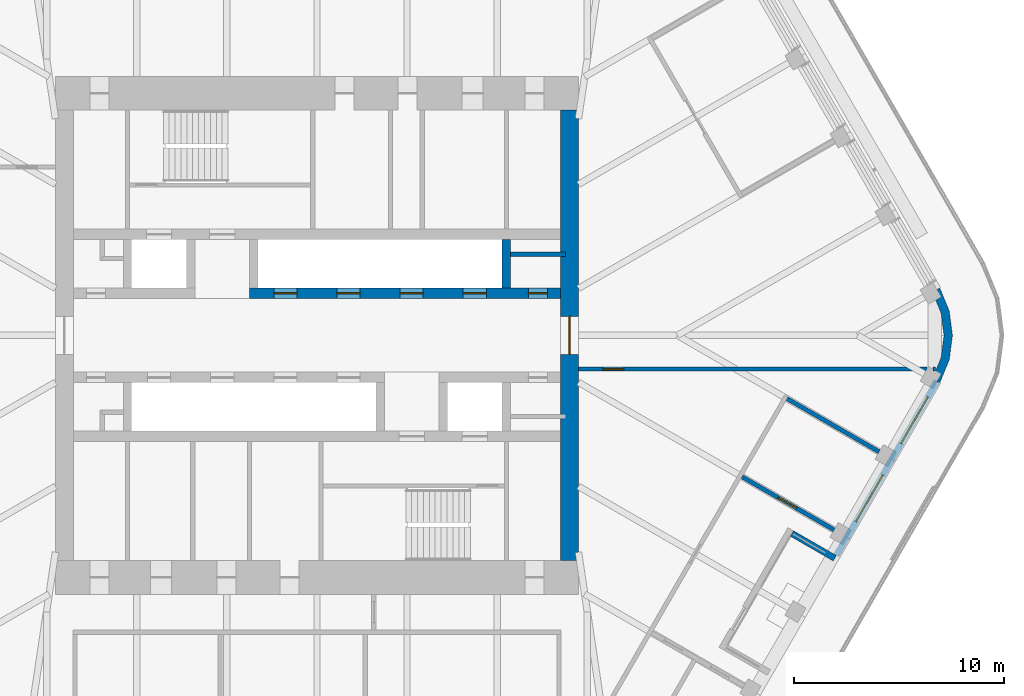
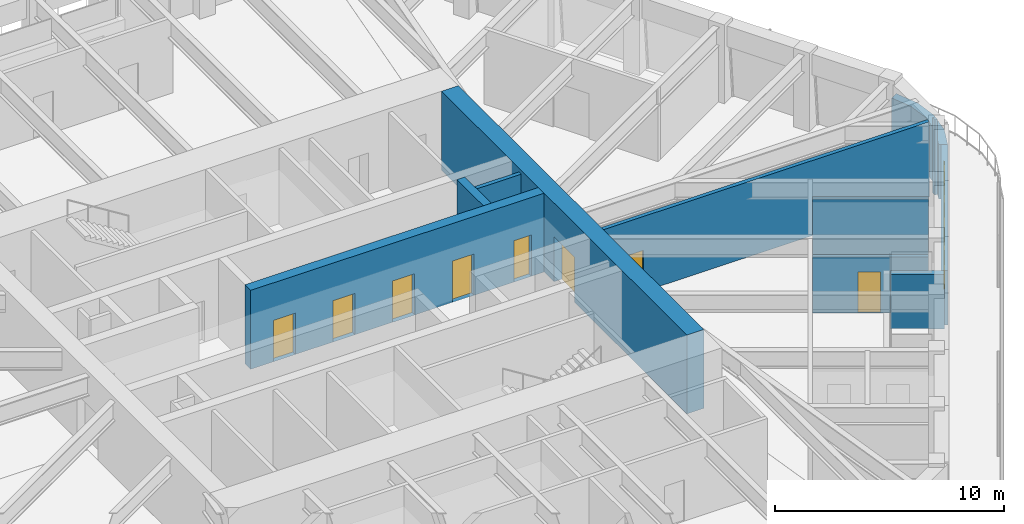
# One storey, part 15 of 20: 11 walls, 8 doors, 2 windows, 10 openings.
"""IFC4 building model written with IfcOpenShell, lengths in metres."""

from ifc_helpers import new_model, si_unit, direction, frame, frame_2d, origin, place, context, subcontext, project, spatial, polyline, rectangle, outline, extrude, material, layer, layer_set, type_object, element, fill, save


model = new_model("IFC4")

# Units and contexts
model_context = context("Model", 3, precision=1e-05, world=origin(), true_north=direction((0.0, 1.0)))
body_context = subcontext(model_context, "Body", "Model", "MODEL_VIEW")
ifc_project = project(units=[si_unit("LENGTHUNIT", "METRE"), si_unit("AREAUNIT", "SQUARE_METRE"), si_unit("VOLUMEUNIT", "CUBIC_METRE"), si_unit("PLANEANGLEUNIT", "RADIAN"), si_unit("MASSUNIT", "GRAM", prefix="KILO")], contexts=[model_context])

# Site, building, storey
site_placement = place(None, origin())
site = spatial("IfcSite", under=ifc_project, at=site_placement, CompositionType="ELEMENT")
building_placement = place(site_placement, origin())
building = spatial("IfcBuilding", under=site, at=building_placement, Name="Tarfa Lantern Tower", CompositionType="ELEMENT")
storey_placement = place(building_placement, frame((0.0, 0.0, 378.699951171875)))
storey = spatial("IfcBuildingStorey", under=building, at=storey_placement, Name="L86", CompositionType="ELEMENT", Elevation=378.699951171875)

# Wall, openings, windows
ifc_material_1 = material(Name="Limestone cladding on blockwork", Category="masonry")
ifc_layer_1 = layer(ifc_material_1, 0.300048828125)
ifc_layer_set_1 = layer_set([ifc_layer_1], Name="EW1 STONE-CLAD WALL 300")
wall_type_1 = type_object("IfcWallType", Name="EW1 STONE-CLAD WALL 300", PredefinedType="SOLIDWALL", material=ifc_layer_set_1)
wall_1_placement = place(storey_placement, frame((24.67724609375, -10.457763671875, 0.0), z_axis=(0.0, 0.0, 1.0), x_axis=(0.499996453679, 0.866027451244, 0.0)))
wall_1 = element("IfcWall", 1, at=wall_1_placement, inside=storey, type_object=wall_type_1, Name="Stone wall SEB", PredefinedType="SOLIDWALL", context=body_context, shape_type="SweptSolid", body=[
    extrude(rectangle(XDim=9.56396484375, YDim=0.300048828125, at=frame_2d((4.781982421875, 0.0))), origin(), (0.0, 0.0, 1.0), 2.900146484375),
])
opening_1_placement = place(wall_1_placement, frame((1.865966796875, 0.0, 0.60009765625)))
opening_1 = element("IfcOpeningElement", 2, at=opening_1_placement, cuts=wall_1, Name="Opening W17", PredefinedType="OPENING", context=body_context, shape_type="SweptSolid", body=[
    extrude(rectangle(XDim=2.550048828125, YDim=2.050048828125, at=frame_2d((1.27490234375, 1.02490234375))), frame((0.0, 0.159912109375, 0.0), z_axis=(0.0, -1.0, 0.0), x_axis=(1.0, 0.0, 0.0)), (0.0, 0.0, 1.0), 0.320068359375),
])
opening_2_placement = place(wall_1_placement, frame((6.14794921875, 0.0, 0.60009765625)))
opening_2 = element("IfcOpeningElement", 3, at=opening_2_placement, cuts=wall_1, Name="Opening W17", PredefinedType="OPENING", context=body_context, shape_type="SweptSolid", body=[
    extrude(rectangle(XDim=2.550048828125, YDim=2.050048828125, at=frame_2d((1.27490234375, 1.02490234375))), frame((0.0, 0.159912109375, 0.0), z_axis=(0.0, -1.0, 0.0), x_axis=(1.0, 0.0, 0.0)), (0.0, 0.0, 1.0), 0.320068359375),
])
ifc_material_2 = material(Name="Aluminium frame, double glazed", Category="aluminium")
window_type = type_object("IfcWindowType", Name="W17 FULL-HEIGHT GLAZING 2550x2050", PartitioningType="SINGLE_PANEL", PredefinedType="WINDOW", material=ifc_material_2)
window_1_placement = place(opening_1_placement, origin())
window_1 = element("IfcWindow", 4, at=window_1_placement, inside=storey, type_object=window_type, Name="Window SEB 1", OverallHeight=2.050048828125, OverallWidth=2.550048828125, PartitioningType="SINGLE_PANEL", PredefinedType="WINDOW", context=body_context, shape_type="SweptSolid", body=[
    extrude(rectangle(XDim=2.550048828125, YDim=2.050048828125, at=frame_2d((1.27490234375, 1.02490234375))), frame((0.0, 0.030029296875, 0.0), z_axis=(0.0, -1.0, 0.0), x_axis=(1.0, 0.0, 0.0)), (0.0, 0.0, 1.0), 0.06005859375),
])
fill(opening_1, window_1)
window_2_placement = place(opening_2_placement, origin())
window_2 = element("IfcWindow", 5, at=window_2_placement, inside=storey, type_object=window_type, Name="Window SEB 2", OverallHeight=2.050048828125, OverallWidth=2.550048828125, PartitioningType="SINGLE_PANEL", PredefinedType="WINDOW", context=body_context, shape_type="SweptSolid", body=[
    extrude(rectangle(XDim=2.550048828125, YDim=2.050048828125, at=frame_2d((1.27490234375, 1.02490234375))), frame((0.0, 0.030029296875, 0.0), z_axis=(0.0, -1.0, 0.0), x_axis=(1.0, 0.0, 0.0)), (0.0, 0.0, 1.0), 0.06005859375),
])
fill(opening_2, window_2)

# Walls
wall_2_placement = place(storey_placement, frame((24.602294921875, -10.587646484375, 0.0), z_axis=(0.0, 0.0, 1.0), x_axis=(-0.866016039709, 0.500016218704, 0.0)))
element("IfcWall", 6, at=wall_2_placement, inside=storey, type_object=wall_type_1, Name="Terrace return SE 2", PredefinedType="SOLIDWALL", context=body_context, shape_type="SweptSolid", body=[
    extrude(rectangle(XDim=2.35009765625, YDim=0.300048828125, at=frame_2d((1.175048828125, 0.0))), origin(), (0.0, 0.0, 1.0), 2.900146484375),
])
ifc_layer_2 = layer(ifc_material_1, 0.39990234375)
ifc_layer_set_2 = layer_set([ifc_layer_2], Name="EW2 CURVED STONE CORNER 400")
wall_type_2 = type_object("IfcWallType", Name="EW2 CURVED STONE CORNER 400", PredefinedType="SOLIDWALL", material=ifc_layer_set_2)
wall_3_placement = place(storey_placement, origin())
element("IfcWall", 7, at=wall_3_placement, inside=storey, type_object=wall_type_2, Name="Stone corner SE-NE", PredefinedType="SOLIDWALL", context=body_context, shape_type="SweptSolid", body=[
    extrude(outline(polyline([(29.589111328125, -2.25), (30.038818359375, -1.164794921875), (30.192138671875, 0.0), (30.038818359375, 1.164794921875), (29.589111328125, 2.25), (29.24267578125, 2.050048828125), (29.65234375, 1.061279296875), (29.7919921875, 0.0), (29.65234375, -1.061279296875), (29.24267578125, -2.050048828125), (29.589111328125, -2.25)])), origin(), (0.0, 0.0, 1.0), 2.900146484375),
])
ifc_material_3 = material(Name="Concrete blockwork", Category="masonry")
ifc_layer_3 = layer(ifc_material_3, 0.199951171875)
ifc_layer_set_3 = layer_set([ifc_layer_3], Name="IW1 BLOCKWORK PARTITION 200 EI 120")
wall_type_3 = type_object("IfcWallType", Name="IW1 BLOCKWORK PARTITION 200 EI 120", PredefinedType="PARTITIONING", material=ifc_layer_set_3)
wall_4_placement = place(storey_placement, frame((9.199951171875, 3.85009765625, 0.0), z_axis=(0.0, 0.0, 1.0), x_axis=(1.0, 0.0, 0.0)))
element("IfcWall", 8, at=wall_4_placement, inside=storey, type_object=wall_type_3, Name="Core partition", PredefinedType="PARTITIONING", context=body_context, shape_type="SweptSolid", body=[
    extrude(rectangle(XDim=2.60009765625, YDim=0.199951171875, at=frame_2d((1.300048828125, 0.0))), origin(), (0.0, 0.0, 1.0), 4.0),
])

# Wall, opening, door
ifc_material_4 = material(Name="Gypsum board on steel studs", Category="steel")
ifc_layer_4 = layer(ifc_material_4, 0.2099609375)
ifc_layer_set_4 = layer_set([ifc_layer_4], Name="IW2 ACOUSTIC PARTITION 200")
wall_type_4 = type_object("IfcWallType", Name="IW2 ACOUSTIC PARTITION 200", PredefinedType="PARTITIONING", material=ifc_layer_set_4)
wall_5_placement = place(storey_placement, frame((20.19775390625, -6.716552734375, 0.0), z_axis=(0.0, 0.0, 1.0), x_axis=(0.866006046928, -0.500033525561, 0.0)))
wall_5 = element("IfcWall", 9, at=wall_5_placement, inside=storey, type_object=wall_type_4, Name="Partition", PredefinedType="PARTITIONING", context=body_context, shape_type="SweptSolid", body=[
    extrude(rectangle(XDim=5.050048828125, YDim=0.199951171875, at=frame_2d((2.52490234375, 0.0))), origin(), (0.0, 0.0, 1.0), 2.991943359375),
])
opening_3_placement = place(wall_5_placement, frame((1.97509765625, 0.0, 0.0)))
opening_3 = element("IfcOpeningElement", 10, at=opening_3_placement, cuts=wall_5, Name="Opening D25", PredefinedType="OPENING", context=body_context, shape_type="SweptSolid", body=[
    extrude(rectangle(XDim=1.0, YDim=2.199951171875, at=frame_2d((0.5, 1.10009765625))), frame((0.0, 0.10986328125, 0.0), z_axis=(0.0, -1.0, 0.0), x_axis=(1.0, 0.0, 0.0)), (0.0, 0.0, 1.0), 0.219970703125),
])
ifc_material_5 = material(Name="Timber door", Category="wood")
door_type_1 = type_object("IfcDoorType", Name="DR1 ROOM DOOR 1000x2200", OperationType="SINGLE_SWING_LEFT", PredefinedType="DOOR", material=ifc_material_5)
door_1_placement = place(opening_3_placement, origin())
door_1 = element("IfcDoor", 11, at=door_1_placement, inside=storey, type_object=door_type_1, Name="Executive office door", OperationType="SINGLE_SWING_RIGHT", OverallHeight=2.199951171875, OverallWidth=1.0, PredefinedType="DOOR", context=body_context, shape_type="SweptSolid", body=[
    extrude(rectangle(XDim=1.0, YDim=2.199951171875, at=frame_2d((0.5, 1.10009765625))), frame((0.0, 0.02490234375, 0.0), z_axis=(0.0, -1.0, 0.0), x_axis=(1.0, 0.0, 0.0)), (0.0, 0.0, 1.0), 0.050048828125),
])
fill(opening_3, door_1)

# Wall
wall_6_placement = place(storey_placement, frame((22.338623046875, -3.00830078125, 0.0), z_axis=(0.0, 0.0, 1.0), x_axis=(0.866018134068, -0.500012591307, 0.0)))
element("IfcWall", 12, at=wall_6_placement, inside=storey, type_object=wall_type_4, Name="Partition", PredefinedType="PARTITIONING", context=body_context, shape_type="SweptSolid", body=[
    extrude(rectangle(XDim=5.050048828125, YDim=0.199951171875, at=frame_2d((2.52490234375, 0.0))), origin(), (0.0, 0.0, 1.0), 3.08154296875),
])

# Wall, opening, door
wall_7_placement = place(storey_placement, frame((12.425048828125, -1.60009765625, 0.0), z_axis=(0.0, 0.0, 1.0), x_axis=(1.0, 0.0, 0.0)))
wall_7 = element("IfcWall", 13, at=wall_7_placement, inside=storey, type_object=wall_type_4, Name="Partition", PredefinedType="PARTITIONING", context=body_context, shape_type="SweptSolid", body=[
    extrude(rectangle(XDim=16.557861328125, YDim=0.199951171875, at=frame_2d((8.27880859375, 0.0))), origin(), (0.0, 0.0, 1.0), 4.0),
])
opening_4_placement = place(wall_7_placement, frame((1.15576171875, 0.0, 0.0)))
opening_4 = element("IfcOpeningElement", 14, at=opening_4_placement, cuts=wall_7, Name="Opening D36", PredefinedType="OPENING", context=body_context, shape_type="SweptSolid", body=[
    extrude(rectangle(XDim=1.0, YDim=2.199951171875, at=frame_2d((0.5, 1.10009765625))), frame((0.0, 0.10986328125, 0.0), z_axis=(0.0, -1.0, 0.0), x_axis=(1.0, 0.0, 0.0)), (0.0, 0.0, 1.0), 0.219970703125),
])
door_2_placement = place(opening_4_placement, frame((1.0, 0.0, 0.0), z_axis=(0.0, 0.0, 1.0), x_axis=(-1.0, 0.0, 0.0)))
door_2 = element("IfcDoor", 15, at=door_2_placement, inside=storey, type_object=door_type_1, Name="Zone door", OperationType="SINGLE_SWING_LEFT", OverallHeight=2.199951171875, OverallWidth=1.0, PredefinedType="DOOR", context=body_context, shape_type="SweptSolid", body=[
    extrude(rectangle(XDim=1.0, YDim=2.199951171875, at=frame_2d((0.5, 1.10009765625))), frame((0.0, 0.02490234375, 0.0), z_axis=(0.0, -1.0, 0.0), x_axis=(1.0, 0.0, 0.0)), (0.0, 0.0, 1.0), 0.050048828125),
])
fill(opening_4, door_2)

# Wall
wall_8_placement = place(storey_placement, frame((29.263427734375, -1.60009765625, 0.0), z_axis=(0.0, 0.0, 1.0), x_axis=(1.0, 0.0, 0.0)))
element("IfcWall", 16, at=wall_8_placement, inside=storey, type_object=wall_type_4, Name="Partition", PredefinedType="PARTITIONING", context=body_context, shape_type="SweptSolid", body=[
    extrude(rectangle(XDim=0.12451171875, YDim=0.199951171875, at=frame_2d((0.062255859375, 0.0))), origin(), (0.0, 0.0, 1.0), 4.0),
])

# Wall, opening, door
ifc_material_6 = material(Name="Concrete C80/95", Category="concrete")
ifc_layer_5 = layer(ifc_material_6, 0.85009765625)
ifc_layer_set_5 = layer_set([ifc_layer_5], Name="SW3 CORE WALL 850")
wall_type_5 = type_object("IfcWallType", Name="SW3 CORE WALL 850", PredefinedType="SHEAR", material=ifc_layer_set_5)
wall_9_placement = place(storey_placement, frame((12.0, -10.699951171875, 0.0), z_axis=(0.0, 0.0, 1.0), x_axis=(0.0, 1.0, 0.0)))
wall_9 = element("IfcWall", 17, at=wall_9_placement, inside=storey, type_object=wall_type_5, Name="Core wall E", PredefinedType="SHEAR", context=body_context, shape_type="SweptSolid", body=[
    extrude(rectangle(XDim=21.39990234375, YDim=0.85009765625, at=frame_2d((10.699951171875, 0.0))), origin(), (0.0, 0.0, 1.0), 4.199951171875),
])
opening_5_placement = place(wall_9_placement, frame((9.800048828125, 0.0, 0.0)))
opening_5 = element("IfcOpeningElement", 18, at=opening_5_placement, cuts=wall_9, Name="Opening D07", PredefinedType="OPENING", context=body_context, shape_type="SweptSolid", body=[
    extrude(rectangle(XDim=1.800048828125, YDim=2.39990234375, at=frame_2d((0.89990234375, 1.199951171875))), frame((0.0, 0.43505859375, 0.0), z_axis=(0.0, -1.0, 0.0), x_axis=(1.0, 0.0, 0.0)), (0.0, 0.0, 1.0), 0.8701171875),
])
ifc_material_7 = material(Name="Steel fire door", Category="steel")
door_type_2 = type_object("IfcDoorType", Name="DL1 LOBBY DOOR 1800x2400", OperationType="DOUBLE_DOOR_SINGLE_SWING", PredefinedType="DOOR", material=ifc_material_7)
door_3_placement = place(opening_5_placement, frame((1.800048828125, 0.0, 0.0), z_axis=(0.0, 0.0, 1.0), x_axis=(-1.0, 0.0, 0.0)))
door_3 = element("IfcDoor", 19, at=door_3_placement, inside=storey, type_object=door_type_2, Name="Lift lobby door", OperationType="DOUBLE_DOOR_SINGLE_SWING", OverallHeight=2.39990234375, OverallWidth=1.800048828125, PredefinedType="DOOR", context=body_context, shape_type="SweptSolid", body=[
    extrude(rectangle(XDim=1.800048828125, YDim=2.39990234375, at=frame_2d((0.89990234375, 1.199951171875))), frame((0.0, 0.02490234375, 0.0), z_axis=(0.0, -1.0, 0.0), x_axis=(1.0, 0.0, 0.0)), (0.0, 0.0, 1.0), 0.050048828125),
])
fill(opening_5, door_3)

# Wall, openings, doors
ifc_layer_6 = layer(ifc_material_6, 0.5)
ifc_layer_set_6 = layer_set([ifc_layer_6], Name="SW5 CORE WALL 500")
wall_type_6 = type_object("IfcWallType", Name="SW5 CORE WALL 500", PredefinedType="SHEAR", material=ifc_layer_set_6)
wall_10_placement = place(storey_placement, frame((-3.199951171875, 2.0, 0.0), z_axis=(0.0, 0.0, 1.0), x_axis=(1.0, 0.0, 0.0)))
wall_10 = element("IfcWall", 20, at=wall_10_placement, inside=storey, type_object=wall_type_6, Name="Core wall lobby east N", PredefinedType="SHEAR", context=body_context, shape_type="SweptSolid", body=[
    extrude(rectangle(XDim=14.77490234375, YDim=0.5, at=frame_2d((7.387451171875, 0.0))), origin(), (0.0, 0.0, 1.0), 4.199951171875),
])
opening_6_placement = place(wall_10_placement, frame((13.25, 0.0, 0.0)))
opening_6 = element("IfcOpeningElement", 21, at=opening_6_placement, cuts=wall_10, Name="Opening D09", PredefinedType="OPENING", context=body_context, shape_type="SweptSolid", body=[
    extrude(rectangle(XDim=0.89990234375, YDim=2.199951171875, at=frame_2d((0.449951171875, 1.10009765625))), frame((0.0, 0.260009765625, 0.0), z_axis=(0.0, -1.0, 0.0), x_axis=(1.0, 0.0, 0.0)), (0.0, 0.0, 1.0), 0.52001953125),
])
opening_7_placement = place(wall_10_placement, frame((1.14990234375, 0.0, 0.0)))
opening_7 = element("IfcOpeningElement", 22, at=opening_7_placement, cuts=wall_10, Name="Opening LD03", PredefinedType="OPENING", context=body_context, shape_type="SweptSolid", body=[
    extrude(rectangle(XDim=1.10009765625, YDim=2.199951171875, at=frame_2d((0.550048828125, 1.10009765625))), frame((0.0, 0.260009765625, 0.0), z_axis=(0.0, -1.0, 0.0), x_axis=(1.0, 0.0, 0.0)), (0.0, 0.0, 1.0), 0.52001953125),
])
opening_8_placement = place(wall_10_placement, frame((4.14990234375, 0.0, 0.0)))
opening_8 = element("IfcOpeningElement", 23, at=opening_8_placement, cuts=wall_10, Name="Opening LD04", PredefinedType="OPENING", context=body_context, shape_type="SweptSolid", body=[
    extrude(rectangle(XDim=1.10009765625, YDim=2.199951171875, at=frame_2d((0.550048828125, 1.10009765625))), frame((0.0, 0.260009765625, 0.0), z_axis=(0.0, -1.0, 0.0), x_axis=(1.0, 0.0, 0.0)), (0.0, 0.0, 1.0), 0.52001953125),
])
opening_9_placement = place(wall_10_placement, frame((7.14990234375, 0.0, 0.0)))
opening_9 = element("IfcOpeningElement", 24, at=opening_9_placement, cuts=wall_10, Name="Opening LD05", PredefinedType="OPENING", context=body_context, shape_type="SweptSolid", body=[
    extrude(rectangle(XDim=1.10009765625, YDim=2.199951171875, at=frame_2d((0.550048828125, 1.10009765625))), frame((0.0, 0.260009765625, 0.0), z_axis=(0.0, -1.0, 0.0), x_axis=(1.0, 0.0, 0.0)), (0.0, 0.0, 1.0), 0.52001953125),
])
opening_10_placement = place(wall_10_placement, frame((10.14990234375, 0.0, 0.0)))
opening_10 = element("IfcOpeningElement", 25, at=opening_10_placement, cuts=wall_10, Name="Opening LD06", PredefinedType="OPENING", context=body_context, shape_type="SweptSolid", body=[
    extrude(rectangle(XDim=1.10009765625, YDim=2.199951171875, at=frame_2d((0.550048828125, 1.10009765625))), frame((0.0, 0.260009765625, 0.0), z_axis=(0.0, -1.0, 0.0), x_axis=(1.0, 0.0, 0.0)), (0.0, 0.0, 1.0), 0.52001953125),
])
door_type_3 = type_object("IfcDoorType", Name="DF6 SERVICE ROOM DOOR 900x2200", OperationType="SINGLE_SWING_LEFT", PredefinedType="DOOR", material=ifc_material_7)
door_4_placement = place(opening_6_placement, origin())
door_4 = element("IfcDoor", 26, at=door_4_placement, inside=storey, type_object=door_type_3, Name="Service room door", OperationType="SINGLE_SWING_LEFT", OverallHeight=2.199951171875, OverallWidth=0.89990234375, PredefinedType="DOOR", context=body_context, shape_type="SweptSolid", body=[
    extrude(rectangle(XDim=0.89990234375, YDim=2.199951171875, at=frame_2d((0.449951171875, 1.10009765625))), frame((0.0, 0.02490234375, 0.0), z_axis=(0.0, -1.0, 0.0), x_axis=(1.0, 0.0, 0.0)), (0.0, 0.0, 1.0), 0.050048828125),
])
fill(opening_6, door_4)
ifc_material_8 = material(Name="Stainless steel lift door", Category="steel")
door_type_4 = type_object("IfcDoorType", Name="LD2 LIFT LANDING DOOR 1100x2200", OperationType="SLIDING_TO_LEFT", PredefinedType="DOOR", material=ifc_material_8)
door_5_placement = place(opening_7_placement, frame((1.10009765625, 0.0, 0.0), z_axis=(0.0, 0.0, 1.0), x_axis=(-1.0, 0.0, 0.0)))
door_5 = element("IfcDoor", 27, at=door_5_placement, inside=storey, type_object=door_type_4, Name="Landing door PD1", OperationType="SLIDING_TO_LEFT", OverallHeight=2.199951171875, OverallWidth=1.10009765625, PredefinedType="DOOR", context=body_context, shape_type="SweptSolid", body=[
    extrude(rectangle(XDim=1.10009765625, YDim=2.199951171875, at=frame_2d((0.550048828125, 1.10009765625))), frame((0.0, 0.02490234375, 0.0), z_axis=(0.0, -1.0, 0.0), x_axis=(1.0, 0.0, 0.0)), (0.0, 0.0, 1.0), 0.050048828125),
])
fill(opening_7, door_5)
door_6_placement = place(opening_8_placement, frame((1.10009765625, 0.0, 0.0), z_axis=(0.0, 0.0, 1.0), x_axis=(-1.0, 0.0, 0.0)))
door_6 = element("IfcDoor", 28, at=door_6_placement, inside=storey, type_object=door_type_4, Name="Landing door PD2", OperationType="SLIDING_TO_LEFT", OverallHeight=2.199951171875, OverallWidth=1.10009765625, PredefinedType="DOOR", context=body_context, shape_type="SweptSolid", body=[
    extrude(rectangle(XDim=1.10009765625, YDim=2.199951171875, at=frame_2d((0.550048828125, 1.10009765625))), frame((0.0, 0.02490234375, 0.0), z_axis=(0.0, -1.0, 0.0), x_axis=(1.0, 0.0, 0.0)), (0.0, 0.0, 1.0), 0.050048828125),
])
fill(opening_8, door_6)
door_7_placement = place(opening_9_placement, frame((1.10009765625, 0.0, 0.0), z_axis=(0.0, 0.0, 1.0), x_axis=(-1.0, 0.0, 0.0)))
door_7 = element("IfcDoor", 29, at=door_7_placement, inside=storey, type_object=door_type_4, Name="Landing door PD3", OperationType="SLIDING_TO_LEFT", OverallHeight=2.199951171875, OverallWidth=1.10009765625, PredefinedType="DOOR", context=body_context, shape_type="SweptSolid", body=[
    extrude(rectangle(XDim=1.10009765625, YDim=2.199951171875, at=frame_2d((0.550048828125, 1.10009765625))), frame((0.0, 0.02490234375, 0.0), z_axis=(0.0, -1.0, 0.0), x_axis=(1.0, 0.0, 0.0)), (0.0, 0.0, 1.0), 0.050048828125),
])
fill(opening_9, door_7)
door_8_placement = place(opening_10_placement, frame((1.10009765625, 0.0, 0.0), z_axis=(0.0, 0.0, 1.0), x_axis=(-1.0, 0.0, 0.0)))
door_8 = element("IfcDoor", 30, at=door_8_placement, inside=storey, type_object=door_type_4, Name="Landing door PD4", OperationType="SLIDING_TO_LEFT", OverallHeight=2.199951171875, OverallWidth=1.10009765625, PredefinedType="DOOR", context=body_context, shape_type="SweptSolid", body=[
    extrude(rectangle(XDim=1.10009765625, YDim=2.199951171875, at=frame_2d((0.550048828125, 1.10009765625))), frame((0.0, 0.02490234375, 0.0), z_axis=(0.0, -1.0, 0.0), x_axis=(1.0, 0.0, 0.0)), (0.0, 0.0, 1.0), 0.050048828125),
])
fill(opening_10, door_8)

# Wall
ifc_layer_7 = layer(ifc_material_6, 0.39990234375)
ifc_layer_set_7 = layer_set([ifc_layer_7], Name="SW6 CORE WALL 400")
wall_type_7 = type_object("IfcWallType", Name="SW6 CORE WALL 400", PredefinedType="SHEAR", material=ifc_layer_set_7)
wall_11_placement = place(storey_placement, frame((9.0, 2.25, 0.0), z_axis=(0.0, 0.0, 1.0), x_axis=(0.0, 1.0, 0.0)))
element("IfcWall", 31, at=wall_11_placement, inside=storey, type_object=wall_type_7, Name="Core wall divider N", PredefinedType="SHEAR", context=body_context, shape_type="SweptSolid", body=[
    extrude(rectangle(XDim=2.300048828125, YDim=0.39990234375, at=frame_2d((1.14990234375, 0.0))), origin(), (0.0, 0.0, 1.0), 4.199951171875),
])

save(model, "model.ifc")
